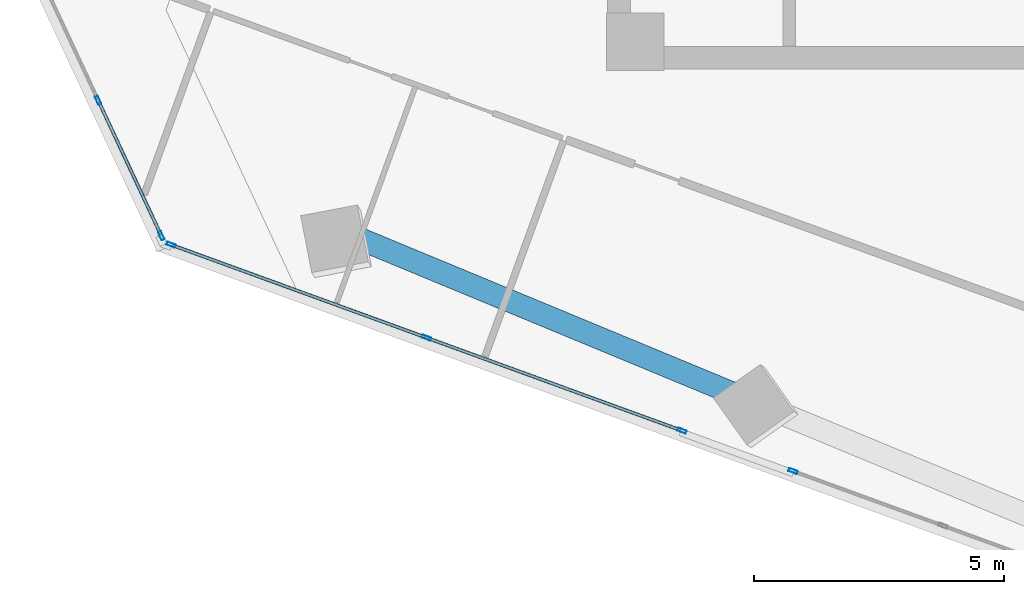
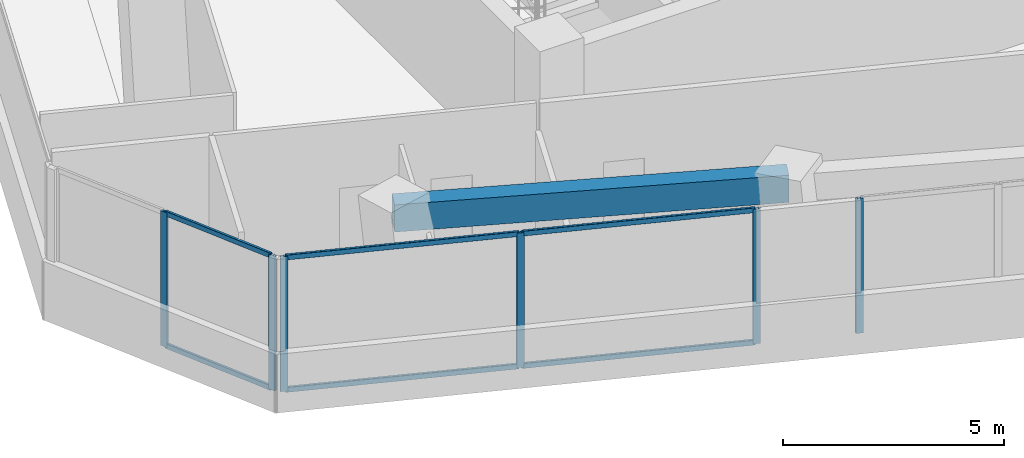
# One storey, part 2 of 21: 12 members, 1 beam, 3 elements without a shape of their own.
"""IFC4 building model written with IfcOpenShell, lengths in metres."""

from ifc_helpers import new_model, si_unit, direction, frame, origin, origin_2d, place, context, subcontext, project, spatial, rectangle, hollow_rectangle, extrude, source, transform, mapped, material, material_profile, profile_set, type_object, element, aggregate, save


model = new_model("IFC4")

# Units and contexts
model_context = context("Model", 3, precision=1e-05, world=origin(), true_north=direction((0.0, 1.0)))
body_context = subcontext(model_context, "Body", "Model", "MODEL_VIEW")
ifc_project = project(units=[si_unit("LENGTHUNIT", "METRE"), si_unit("AREAUNIT", "SQUARE_METRE"), si_unit("VOLUMEUNIT", "CUBIC_METRE"), si_unit("PLANEANGLEUNIT", "RADIAN"), si_unit("MASSUNIT", "GRAM", prefix="KILO")], contexts=[model_context])

# Site, building, storey
site_placement = place(None, origin())
site = spatial("IfcSite", under=ifc_project, at=site_placement, CompositionType="ELEMENT")
building_placement = place(site_placement, origin())
building = spatial("IfcBuilding", under=site, at=building_placement, Name="Torre Montelarca", CompositionType="ELEMENT")
storey_placement = place(building_placement, frame((0.0, 0.0, 137.199951171875)))
storey = spatial("IfcBuildingStorey", under=building, at=storey_placement, Name="L30", CompositionType="ELEMENT", Elevation=137.199951171875)

# Beam
ifc_material_1 = material(Name="Concrete C55/67", Category="concrete")
ifc_material_profile_1 = material_profile(ifc_material_1, rectangle(XDim=0.449951171875, YDim=0.75, at=origin_2d()), Name="RCB450X750", Category="concrete")
ifc_profile_set_1 = profile_set([ifc_material_profile_1], Name="Concrete C55/67")
beam_type = type_object("IfcBeamType", Name="BM-SP-RC750-EXT", PredefinedType="SPANDREL", material=ifc_profile_set_1)
shared_shape_1 = source(origin(), body_context, "Body", "SweptSolid", [
    extrude(rectangle(XDim=0.449951171875, YDim=0.75, at=origin_2d()), origin(), (0.0, 0.0, 1.0), 9.0),
])
beam_placement = place(storey_placement, frame((3.369384765625, 20.892822265625, 3.5849609375), z_axis=(0.923882270716, -0.382676821686, 0.0), x_axis=(0.382676821686, 0.923882270716, 0.0)))
element("IfcBeam", 1, at=beam_placement, inside=storey, type_object=beam_type, Name="L30 Grid Girder X 9.0-18.0 at Y=14.8", PredefinedType="SPANDREL", context=body_context, shape_type="MappedRepresentation", body=[
    mapped(shared_shape_1, transform((0.0, 0.0, 0.0), scale=1.0)),
])

# Curtain wall, members
ifc_material_2 = material(Name="Insulated low-E laminated glass", Category="glass")
curtain_wall_type = type_object("IfcCurtainWallType", Name="CW-SYS-Z2", PredefinedType="USERDEFINED", material=ifc_material_2)
curtain_wall_1_placement = place(storey_placement, origin())
curtain_wall_1 = element("IfcCurtainWall", 2, at=curtain_wall_1_placement, inside=storey, type_object=curtain_wall_type, Name="L30 Curtain Wall Run CW-T3-L30-E11-B1", ObjectType="UNITISED GLAZING", PredefinedType="USERDEFINED")
ifc_material_3 = material(Name="Anodised aluminium AA 6063-T6", Category="aluminium")
ifc_material_profile_2 = material_profile(ifc_material_3, hollow_rectangle(XDim=0.06494140625, YDim=0.139892578125, WallThickness=0.00390625, InnerFilletRadius=0.00390625, OuterFilletRadius=0.008056640625, at=origin_2d()), Name="ALU65X140X4", Category="aluminium")
ifc_profile_set_2 = profile_set([ifc_material_profile_2], Name="Anodised aluminium AA 6063-T6")
member_type_1 = type_object("IfcMemberType", Name="CWT-ALU140", PredefinedType="USERDEFINED", material=ifc_profile_set_2)
shared_shape_2 = source(origin(), body_context, "Body", "SweptSolid", [
    extrude(hollow_rectangle(XDim=0.06494140625, YDim=0.139892578125, WallThickness=0.00390625, InnerFilletRadius=0.00390625, OuterFilletRadius=0.008056640625, at=origin_2d()), origin(), (0.0, 0.0, 1.0), 2.918701171875),
])
member_1_placement = place(storey_placement, frame((-1.160888671875, 23.34765625, 0.032470703125), z_axis=(0.422587791305, -0.90632199501, 0.0), x_axis=(0.90632199501, 0.422587791305, 0.0)))
member_1 = element("IfcMember", 3, at=member_1_placement, type_object=member_type_1, Name="CW transom 2.1", ObjectType="TRANSOM", PredefinedType="USERDEFINED", context=body_context, shape_type="MappedRepresentation", body=[
    mapped(shared_shape_2, transform((0.0, 0.0, 0.0), scale=1.0)),
])
member_2_placement = place(storey_placement, frame((-1.160888671875, 23.34765625, 3.6875), z_axis=(0.422587791305, -0.90632199501, 0.0), x_axis=(0.90632199501, 0.422587791305, 0.0)))
member_2 = element("IfcMember", 4, at=member_2_placement, type_object=member_type_1, Name="CW transom 2.2", ObjectType="TRANSOM", PredefinedType="USERDEFINED", context=body_context, shape_type="MappedRepresentation", body=[
    mapped(shared_shape_2, transform((0.0, 0.0, 0.0), scale=1.0)),
])

curtain_wall_2_placement = place(storey_placement, origin())
curtain_wall_2 = element("IfcCurtainWall", 5, at=curtain_wall_2_placement, inside=storey, type_object=curtain_wall_type, Name="L30 Curtain Wall Run CW-T3-L30-E01-B1", ObjectType="UNITISED GLAZING", PredefinedType="USERDEFINED")
ifc_material_profile_3 = material_profile(ifc_material_3, hollow_rectangle(XDim=0.06494140625, YDim=0.179931640625, WallThickness=0.00390625, InnerFilletRadius=0.00390625, OuterFilletRadius=0.008056640625, at=origin_2d()), Name="ALU65X180X4", Category="aluminium")
ifc_profile_set_3 = profile_set([ifc_material_profile_3], Name="Anodised aluminium AA 6063-T6")
member_type_2 = type_object("IfcMemberType", Name="CWM-ALU180", PredefinedType="MULLION", material=ifc_profile_set_3)
shared_shape_3 = source(origin(), body_context, "Body", "SweptSolid", [
    extrude(hollow_rectangle(XDim=0.06494140625, YDim=0.179931640625, WallThickness=0.00390625, InnerFilletRadius=0.00390625, OuterFilletRadius=0.008056640625, at=origin_2d()), origin(), (0.0, 0.0, 1.0), 3.719970703125),
])
member_3_placement = place(storey_placement, frame((0.283203125, 20.49267578125, 0.0), z_axis=(0.0, 0.0, 1.0), x_axis=(0.342020288374, 0.939692567993, 0.0)))
member_3 = element("IfcMember", 6, at=member_3_placement, type_object=member_type_2, Name="CW mullion 1", PredefinedType="MULLION", context=body_context, shape_type="MappedRepresentation", body=[
    mapped(shared_shape_3, transform((0.0, 0.0, 0.0), scale=1.0)),
])
member_4_placement = place(storey_placement, frame((5.382568359375, 18.636474609375, 0.0), z_axis=(0.0, 0.0, 1.0), x_axis=(0.342020288374, 0.939692567993, 0.0)))
member_4 = element("IfcMember", 7, at=member_4_placement, type_object=member_type_2, Name="CW mullion 2", PredefinedType="MULLION", context=body_context, shape_type="MappedRepresentation", body=[
    mapped(shared_shape_3, transform((0.0, 0.0, 0.0), scale=1.0)),
])
member_5_placement = place(storey_placement, frame((10.48193359375, 16.780517578125, 0.0), z_axis=(0.0, 0.0, 1.0), x_axis=(0.342020288374, 0.939692567993, 0.0)))
member_5 = element("IfcMember", 8, at=member_5_placement, type_object=member_type_2, Name="CW mullion 3", PredefinedType="MULLION", context=body_context, shape_type="MappedRepresentation", body=[
    mapped(shared_shape_3, transform((0.0, 0.0, 0.0), scale=1.0)),
])

# Curtain wall, member
curtain_wall_3_placement = place(storey_placement, origin())
curtain_wall_3 = element("IfcCurtainWall", 9, at=curtain_wall_3_placement, inside=storey, type_object=curtain_wall_type, Name="L30 Curtain Wall Run CW-T3-L30-E01-B2", ObjectType="UNITISED GLAZING", PredefinedType="USERDEFINED")
member_6_placement = place(storey_placement, frame((12.700927734375, 15.972900390625, 0.0), z_axis=(0.0, 0.0, 1.0), x_axis=(0.342025079055, 0.939690824313, 0.0)))
member_6 = element("IfcMember", 10, at=member_6_placement, type_object=member_type_2, Name="CW mullion 1", PredefinedType="MULLION", context=body_context, shape_type="MappedRepresentation", body=[
    mapped(shared_shape_3, transform((0.0, 0.0, 0.0), scale=1.0)),
])
aggregate(curtain_wall_3, [member_6])

# Member
member_7_placement = place(storey_placement, frame((-1.1748046875, 23.376953125, 0.0), z_axis=(0.0, 0.0, 1.0), x_axis=(0.906317349192, 0.422597755027, 0.0)))
member_7 = element("IfcMember", 11, at=member_7_placement, type_object=member_type_2, Name="CW mullion 2", PredefinedType="MULLION", context=body_context, shape_type="MappedRepresentation", body=[
    mapped(shared_shape_3, transform((0.0, 0.0, 0.0), scale=1.0)),
])

member_8_placement = place(storey_placement, frame((0.086181640625, 20.6728515625, 0.0), z_axis=(0.0, 0.0, 1.0), x_axis=(0.906317349192, 0.422597755027, 0.0)))
member_8 = element("IfcMember", 12, at=member_8_placement, type_object=member_type_2, Name="CW mullion 3", PredefinedType="MULLION", context=body_context, shape_type="MappedRepresentation", body=[
    mapped(shared_shape_3, transform((0.0, 0.0, 0.0), scale=1.0)),
])

aggregate(curtain_wall_1, [member_7, member_8, member_1, member_2])

shared_shape_4 = source(origin(), body_context, "Body", "SweptSolid", [
    extrude(hollow_rectangle(XDim=0.06494140625, YDim=0.139892578125, WallThickness=0.00390625, InnerFilletRadius=0.00390625, OuterFilletRadius=0.008056640625, at=origin_2d()), origin(), (0.0, 0.0, 1.0), 5.361572265625),
])
member_9_placement = place(storey_placement, frame((0.313720703125, 20.4814453125, 0.032470703125), z_axis=(0.939696333867, -0.342009941546, 0.0), x_axis=(0.342009941546, 0.939696333867, 0.0)))
member_9 = element("IfcMember", 13, at=member_9_placement, type_object=member_type_1, Name="CW transom 1.1", ObjectType="TRANSOM", PredefinedType="USERDEFINED", context=body_context, shape_type="MappedRepresentation", body=[
    mapped(shared_shape_4, transform((0.0, 0.0, 0.0), scale=1.0)),
])

member_10_placement = place(storey_placement, frame((0.313720703125, 20.4814453125, 3.6875), z_axis=(0.939696333867, -0.342009941546, 0.0), x_axis=(0.342009941546, 0.939696333867, 0.0)))
member_10 = element("IfcMember", 14, at=member_10_placement, type_object=member_type_1, Name="CW transom 1.2", ObjectType="TRANSOM", PredefinedType="USERDEFINED", context=body_context, shape_type="MappedRepresentation", body=[
    mapped(shared_shape_4, transform((0.0, 0.0, 0.0), scale=1.0)),
])

member_11_placement = place(storey_placement, frame((5.4130859375, 18.62548828125, 0.032470703125), z_axis=(0.939696333867, -0.342009941546, 0.0), x_axis=(0.342009941546, 0.939696333867, 0.0)))
member_11 = element("IfcMember", 15, at=member_11_placement, type_object=member_type_1, Name="CW transom 2.1", ObjectType="TRANSOM", PredefinedType="USERDEFINED", context=body_context, shape_type="MappedRepresentation", body=[
    mapped(shared_shape_4, transform((0.0, 0.0, 0.0), scale=1.0)),
])

member_12_placement = place(storey_placement, frame((5.4130859375, 18.62548828125, 3.6875), z_axis=(0.939696333867, -0.342009941546, 0.0), x_axis=(0.342009941546, 0.939696333867, 0.0)))
member_12 = element("IfcMember", 16, at=member_12_placement, type_object=member_type_1, Name="CW transom 2.2", ObjectType="TRANSOM", PredefinedType="USERDEFINED", context=body_context, shape_type="MappedRepresentation", body=[
    mapped(shared_shape_4, transform((0.0, 0.0, 0.0), scale=1.0)),
])

aggregate(curtain_wall_2, [member_3, member_4, member_5, member_9, member_10, member_11, member_12])

save(model, "model.ifc")
